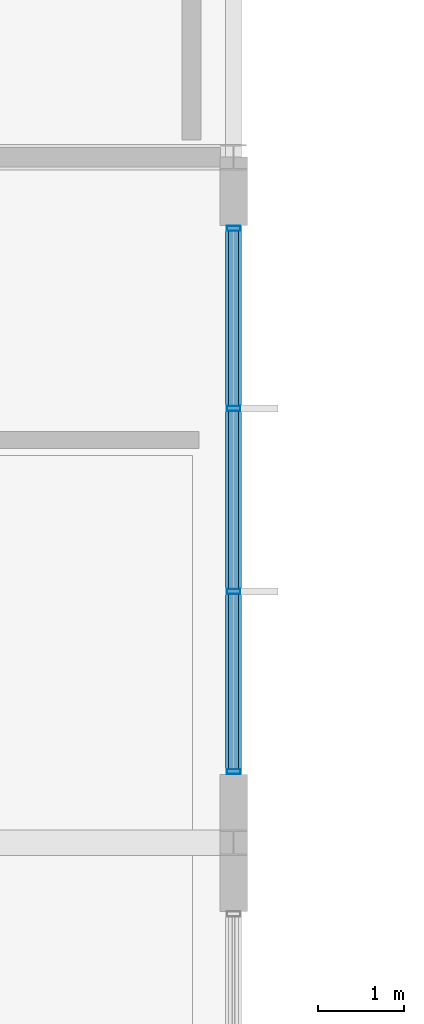
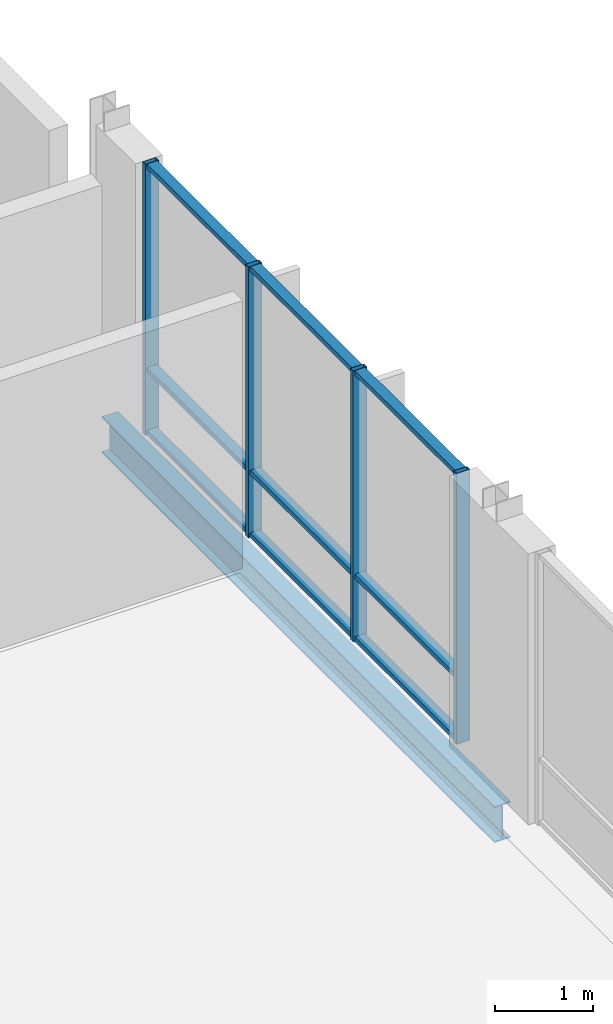
# One storey, part 121 of 189: 13 members, 1 beam, 1 element without a shape of its own.
"""IFC4 building model written with IfcOpenShell, lengths in metres."""

from ifc_helpers import new_model, si_unit, direction, frame, origin, origin_2d, place, context, subcontext, project, spatial, hollow_rectangle, i_section, extrude, material, material_profile, profile_set, type_object, element, aggregate, save


model = new_model("IFC4")

# Units and contexts
model_context = context("Model", 3, precision=1e-05, world=origin(), true_north=direction((0.0, 1.0)))
body_context = subcontext(model_context, "Body", "Model", "MODEL_VIEW")
ifc_project = project(units=[si_unit("LENGTHUNIT", "METRE"), si_unit("AREAUNIT", "SQUARE_METRE"), si_unit("VOLUMEUNIT", "CUBIC_METRE"), si_unit("PLANEANGLEUNIT", "RADIAN"), si_unit("MASSUNIT", "GRAM", prefix="KILO")], contexts=[model_context])

# Site, building, storey
site_placement = place(None, origin())
site = spatial("IfcSite", under=ifc_project, at=site_placement, CompositionType="ELEMENT")
building_placement = place(site_placement, origin())
building = spatial("IfcBuilding", under=site, at=building_placement, Name="Zavelmont Quarter", CompositionType="ELEMENT")
storey_placement = place(building_placement, frame((0.0, 0.0, 4.39990234375)))
storey = spatial("IfcBuildingStorey", under=building, at=storey_placement, Name="L01", CompositionType="ELEMENT", Elevation=4.39990234375)

# Beam
ifc_material_1 = material(Name="Steel S355", Category="steel")
ifc_material_profile_1 = material_profile(ifc_material_1, i_section(OverallWidth=0.18994140625, OverallDepth=0.449951171875, WebThickness=0.009521484375, FlangeThickness=0.0146484375, at=origin_2d()), Name="IPE 450")
ifc_profile_set_1 = profile_set([ifc_material_profile_1], Name="Steel S355")
beam_type = type_object("IfcBeamType", Name="BM12", PredefinedType="BEAM", material=ifc_profile_set_1)
beam_placement = place(storey_placement, frame((168.0, 62.0, -0.5048828125), z_axis=(0.0, 1.0, 0.0), x_axis=(-1.0, 0.0, 0.0)))
element("IfcBeam", 1, at=beam_placement, inside=storey, type_object=beam_type, Name="L01 beam BM12 25/K to 25/L", PredefinedType="BEAM", context=body_context, shape_type="SweptSolid", body=[
    extrude(i_section(OverallWidth=0.18994140625, OverallDepth=0.449951171875, WebThickness=0.009521484375, FlangeThickness=0.0146484375, at=origin_2d()), origin(), (0.0, 0.0, 1.0), 8.0),
])

# Curtain wall, members
ifc_material_2 = material(Name="Thermally broken aluminium and double low-E safety glazing", Category="aluminium")
curtain_wall_type = type_object("IfcCurtainWallType", Name="CW-640X337", PredefinedType="NOTDEFINED", material=ifc_material_2)
curtain_wall_placement = place(storey_placement, origin())
curtain_wall = element("IfcCurtainWall", 2, at=curtain_wall_placement, inside=storey, type_object=curtain_wall_type, Name="L01 unitised curtain wall CW-640X337", PredefinedType="NOTDEFINED")
ifc_material_3 = material(Name="Powder-coated aluminium EN AW-6063-T6", Category="aluminium")
ifc_material_profile_2 = material_profile(ifc_material_3, hollow_rectangle(XDim=0.06005859375, YDim=0.159912109375, WallThickness=0.00390625, at=origin_2d()), Name="CWM60X160")
ifc_profile_set_2 = profile_set([ifc_material_profile_2], Name="Powder-coated aluminium EN AW-6063-T6")
member_type_1 = type_object("IfcMemberType", Name="CWM01", PredefinedType="MULLION", material=ifc_profile_set_2)
member_1_placement = place(storey_placement, frame((168.0, 62.830078125, 0.0), z_axis=(0.0, 0.0, 1.0), x_axis=(0.0, 1.0, 0.0)))
member_1 = element("IfcMember", 3, at=member_1_placement, type_object=member_type_1, Name="CW-640X337 mullion 1", PredefinedType="MULLION", context=body_context, shape_type="SweptSolid", body=[
    extrude(hollow_rectangle(XDim=0.06005859375, YDim=0.159912109375, WallThickness=0.00390625, at=origin_2d()), origin(), (0.0, 0.0, 1.0), 3.3701171875),
])
member_2_placement = place(storey_placement, frame((168.0, 64.933349609375, 0.0), z_axis=(0.0, 0.0, 1.0), x_axis=(0.0, 1.0, 0.0)))
member_2 = element("IfcMember", 4, at=member_2_placement, type_object=member_type_1, Name="CW-640X337 mullion 2", PredefinedType="MULLION", context=body_context, shape_type="SweptSolid", body=[
    extrude(hollow_rectangle(XDim=0.06005859375, YDim=0.159912109375, WallThickness=0.00390625, at=origin_2d()), origin(), (0.0, 0.0, 1.0), 3.3701171875),
])
member_3_placement = place(storey_placement, frame((168.0, 67.066650390625, 0.0), z_axis=(0.0, 0.0, 1.0), x_axis=(0.0, 1.0, 0.0)))
member_3 = element("IfcMember", 5, at=member_3_placement, type_object=member_type_1, Name="CW-640X337 mullion 3", PredefinedType="MULLION", context=body_context, shape_type="SweptSolid", body=[
    extrude(hollow_rectangle(XDim=0.06005859375, YDim=0.159912109375, WallThickness=0.00390625, at=origin_2d()), origin(), (0.0, 0.0, 1.0), 3.3701171875),
])
member_4_placement = place(storey_placement, frame((168.0, 69.169921875, 0.0), z_axis=(0.0, 0.0, 1.0), x_axis=(0.0, 1.0, 0.0)))
member_4 = element("IfcMember", 6, at=member_4_placement, type_object=member_type_1, Name="CW-640X337 mullion 4", PredefinedType="MULLION", context=body_context, shape_type="SweptSolid", body=[
    extrude(hollow_rectangle(XDim=0.06005859375, YDim=0.159912109375, WallThickness=0.00390625, at=origin_2d()), origin(), (0.0, 0.0, 1.0), 3.3701171875),
])
ifc_material_profile_3 = material_profile(ifc_material_3, hollow_rectangle(XDim=0.1201171875, YDim=0.06005859375, WallThickness=0.00390625, at=origin_2d()), Name="CWT60X120")
ifc_profile_set_3 = profile_set([ifc_material_profile_3], Name="Powder-coated aluminium EN AW-6063-T6")
member_type_2 = type_object("IfcMemberType", Name="CWT01", PredefinedType="NOTDEFINED", material=ifc_profile_set_3)
member_5_placement = place(storey_placement, frame((168.0, 62.860107421875, 0.030029296875), z_axis=(0.0, 1.0, 0.0), x_axis=(-1.0, 0.0, 0.0)))
member_5 = element("IfcMember", 7, at=member_5_placement, type_object=member_type_2, Name="CW-640X337 transom 1.1", ObjectType="TRANSOM", PredefinedType="USERDEFINED", context=body_context, shape_type="SweptSolid", body=[
    extrude(hollow_rectangle(XDim=0.1201171875, YDim=0.06005859375, WallThickness=0.00390625, at=origin_2d()), origin(), (0.0, 0.0, 1.0), 2.043212890625),
])
member_6_placement = place(storey_placement, frame((168.0, 62.860107421875, 0.80908203125), z_axis=(0.0, 1.0, 0.0), x_axis=(-1.0, 0.0, 0.0)))
member_6 = element("IfcMember", 8, at=member_6_placement, type_object=member_type_2, Name="CW-640X337 transom 1.2", ObjectType="TRANSOM", PredefinedType="USERDEFINED", context=body_context, shape_type="SweptSolid", body=[
    extrude(hollow_rectangle(XDim=0.1201171875, YDim=0.06005859375, WallThickness=0.00390625, at=origin_2d()), origin(), (0.0, 0.0, 1.0), 2.043212890625),
])
member_7_placement = place(storey_placement, frame((168.0, 62.860107421875, 3.340087890625), z_axis=(0.0, 1.0, 0.0), x_axis=(-1.0, 0.0, 0.0)))
member_7 = element("IfcMember", 9, at=member_7_placement, type_object=member_type_2, Name="CW-640X337 transom 1.3", ObjectType="TRANSOM", PredefinedType="USERDEFINED", context=body_context, shape_type="SweptSolid", body=[
    extrude(hollow_rectangle(XDim=0.1201171875, YDim=0.06005859375, WallThickness=0.00390625, at=origin_2d()), origin(), (0.0, 0.0, 1.0), 2.043212890625),
])
member_8_placement = place(storey_placement, frame((168.0, 64.96337890625, 0.030029296875), z_axis=(0.0, 1.0, 0.0), x_axis=(-1.0, 0.0, 0.0)))
member_8 = element("IfcMember", 10, at=member_8_placement, type_object=member_type_2, Name="CW-640X337 transom 2.1", ObjectType="TRANSOM", PredefinedType="USERDEFINED", context=body_context, shape_type="SweptSolid", body=[
    extrude(hollow_rectangle(XDim=0.1201171875, YDim=0.06005859375, WallThickness=0.00390625, at=origin_2d()), origin(), (0.0, 0.0, 1.0), 2.0732421875),
])
member_9_placement = place(storey_placement, frame((168.0, 64.96337890625, 0.80908203125), z_axis=(0.0, 1.0, 0.0), x_axis=(-1.0, 0.0, 0.0)))
member_9 = element("IfcMember", 11, at=member_9_placement, type_object=member_type_2, Name="CW-640X337 transom 2.2", ObjectType="TRANSOM", PredefinedType="USERDEFINED", context=body_context, shape_type="SweptSolid", body=[
    extrude(hollow_rectangle(XDim=0.1201171875, YDim=0.06005859375, WallThickness=0.00390625, at=origin_2d()), origin(), (0.0, 0.0, 1.0), 2.0732421875),
])
member_10_placement = place(storey_placement, frame((168.0, 64.96337890625, 3.340087890625), z_axis=(0.0, 1.0, 0.0), x_axis=(-1.0, 0.0, 0.0)))
member_10 = element("IfcMember", 12, at=member_10_placement, type_object=member_type_2, Name="CW-640X337 transom 2.3", ObjectType="TRANSOM", PredefinedType="USERDEFINED", context=body_context, shape_type="SweptSolid", body=[
    extrude(hollow_rectangle(XDim=0.1201171875, YDim=0.06005859375, WallThickness=0.00390625, at=origin_2d()), origin(), (0.0, 0.0, 1.0), 2.0732421875),
])
member_11_placement = place(storey_placement, frame((168.0, 67.0966796875, 0.030029296875), z_axis=(0.0, 1.0, 0.0), x_axis=(-1.0, 0.0, 0.0)))
member_11 = element("IfcMember", 13, at=member_11_placement, type_object=member_type_2, Name="CW-640X337 transom 3.1", ObjectType="TRANSOM", PredefinedType="USERDEFINED", context=body_context, shape_type="SweptSolid", body=[
    extrude(hollow_rectangle(XDim=0.1201171875, YDim=0.06005859375, WallThickness=0.00390625, at=origin_2d()), origin(), (0.0, 0.0, 1.0), 2.043212890625),
])
member_12_placement = place(storey_placement, frame((168.0, 67.0966796875, 0.80908203125), z_axis=(0.0, 1.0, 0.0), x_axis=(-1.0, 0.0, 0.0)))
member_12 = element("IfcMember", 14, at=member_12_placement, type_object=member_type_2, Name="CW-640X337 transom 3.2", ObjectType="TRANSOM", PredefinedType="USERDEFINED", context=body_context, shape_type="SweptSolid", body=[
    extrude(hollow_rectangle(XDim=0.1201171875, YDim=0.06005859375, WallThickness=0.00390625, at=origin_2d()), origin(), (0.0, 0.0, 1.0), 2.043212890625),
])
member_13_placement = place(storey_placement, frame((168.0, 67.0966796875, 3.340087890625), z_axis=(0.0, 1.0, 0.0), x_axis=(-1.0, 0.0, 0.0)))
member_13 = element("IfcMember", 15, at=member_13_placement, type_object=member_type_2, Name="CW-640X337 transom 3.3", ObjectType="TRANSOM", PredefinedType="USERDEFINED", context=body_context, shape_type="SweptSolid", body=[
    extrude(hollow_rectangle(XDim=0.1201171875, YDim=0.06005859375, WallThickness=0.00390625, at=origin_2d()), origin(), (0.0, 0.0, 1.0), 2.043212890625),
])
aggregate(curtain_wall, [member_1, member_2, member_3, member_4, member_5, member_6, member_7, member_8, member_9, member_10, member_11, member_12, member_13])

save(model, "model.ifc")
